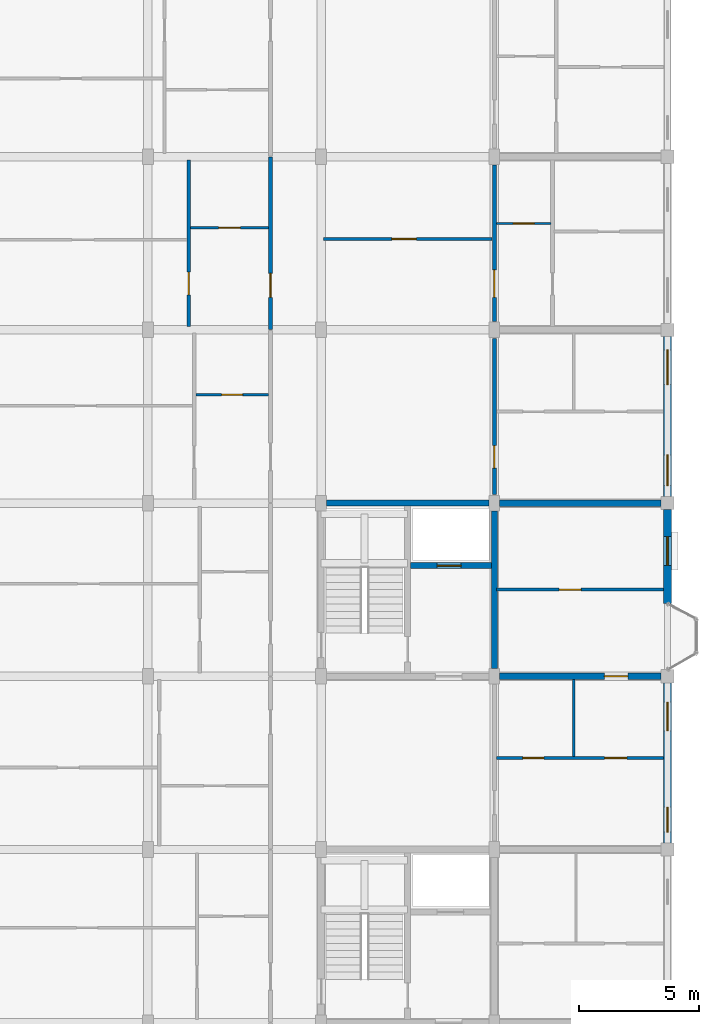
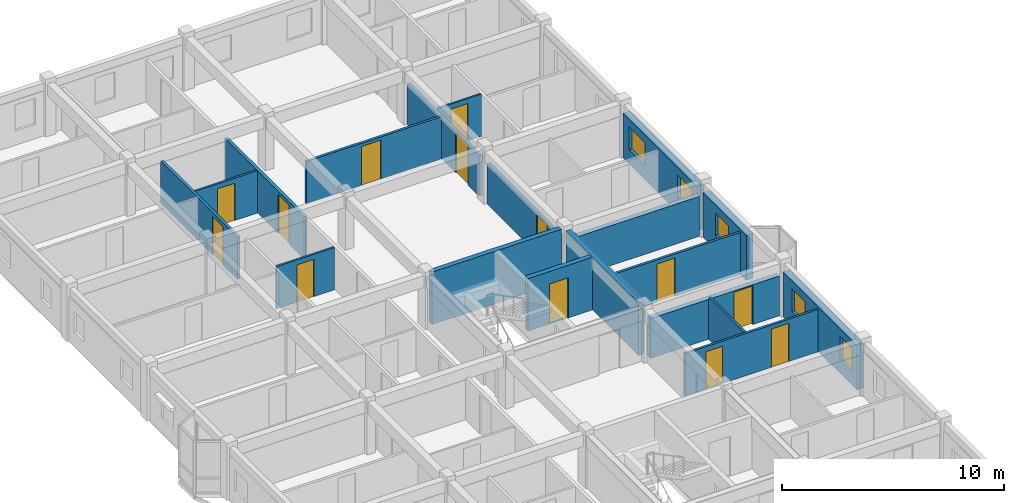
# One storey, part 63 of 77: 19 walls, 13 doors, 5 windows, 18 openings.
"""IFC4 building model written with IfcOpenShell, lengths in metres."""

import ifcopenshell
import ifcopenshell.guid

model = None  # the IFC model being written
_history = None  # IfcOwnerHistory: only IFC2X3 demands one
_inside = {}  # id of a spatial element -> (the spatial element, [elements in it])
_under = {}  # id of a project, library or spatial element -> (it, [spatial elements below it])
_declared = {}  # id of a project -> (the project, [libraries it declares])
_typed = {}  # id of a type object -> (the type object, [elements of that type])
_made_of = {}  # id of a material, layer set ... -> (it, [elements and type objects made of it])


def new_model(schema):
    """Start an empty IFC model of exactly this schema.

    Asked for "IFC4X3", IfcOpenShell would pick the latest addendum, in which some entities
    have other attributes; the version numbers below select the first issue.
    IFC2X3 requires an IfcOwnerHistory on every rooted entity: one is made here for all.
    """
    global model, _history
    if schema == "IFC4X3":
        model = ifcopenshell.file(schema_version=(4, 3, 0, 0))
    else:
        model = ifcopenshell.file(schema=schema)
    _inside.clear()
    _under.clear()
    _declared.clear()
    _typed.clear()
    _made_of.clear()
    _history = None
    if model.schema == "IFC2X3":
        org = make("IfcOrganization", Name="unknown")
        user = make(
            "IfcPersonAndOrganization",
            ThePerson=make("IfcPerson", FamilyName="unknown"),
            TheOrganization=org,
        )
        app = make(
            "IfcApplication",
            ApplicationDeveloper=org,
            Version="unknown",
            ApplicationFullName="unknown",
            ApplicationIdentifier="unknown",
        )
        _history = make(
            "IfcOwnerHistory",
            OwningUser=user,
            OwningApplication=app,
            ChangeAction="ADDED",
            CreationDate=0,
        )
    return model


def make(cls, **values):
    """One entity of the class cls with the attributes given. An attribute that is None is left unset."""
    return model.create_entity(
        cls, **{name: value for name, value in values.items() if value is not None}
    )


def rooted(cls, **values):
    """An entity with a GlobalId (a new one), such as an element, a storey or a relation."""
    return make(cls, GlobalId=ifcopenshell.guid.new(), OwnerHistory=_history, **values)


def si_unit(unit_type, name, prefix=None):
    """IfcSIUnit, for example si_unit("LENGTHUNIT", "METRE", prefix="MILLI")."""
    return make("IfcSIUnit", UnitType=unit_type, Prefix=prefix, Name=name)


def assignment(units):
    """IfcUnitAssignment: the units of a project."""
    return None if units is None else make("IfcUnitAssignment", Units=units)


def point(xyz):
    """IfcCartesianPoint."""
    return None if xyz is None else make("IfcCartesianPoint", Coordinates=xyz)


def direction(xyz):
    """IfcDirection."""
    return None if xyz is None else make("IfcDirection", DirectionRatios=xyz)


def frame(location, z_axis=None, x_axis=None):
    """IfcAxis2Placement3D, a coordinate frame: its origin and axes. An axis left out is left unset."""
    return make(
        "IfcAxis2Placement3D",
        Location=point(location),
        Axis=direction(z_axis),
        RefDirection=direction(x_axis),
    )


def frame_2d(location, x_axis=None):
    """IfcAxis2Placement2D, a coordinate frame in the plane: its origin and x axis."""
    return make(
        "IfcAxis2Placement2D", Location=point(location), RefDirection=direction(x_axis)
    )


def origin():
    """The frame at (0, 0, 0) with its axes left unset."""
    return frame((0.0, 0.0, 0.0))


def place(relative_to, where):
    """IfcLocalPlacement: puts the frame where relative to a parent placement (None: the world)."""
    return make(
        "IfcLocalPlacement", PlacementRelTo=relative_to, RelativePlacement=where
    )


def context(
    kind, dimensions, precision=None, world=None, true_north=None, identifier=None
):
    """IfcGeometricRepresentationContext, for example the 3D "Model" context."""
    return make(
        "IfcGeometricRepresentationContext",
        ContextIdentifier=identifier,
        ContextType=kind,
        CoordinateSpaceDimension=dimensions,
        Precision=precision,
        WorldCoordinateSystem=world,
        TrueNorth=true_north,
    )


def subcontext(parent, identifier, kind, view, scale=None):
    """IfcGeometricRepresentationSubContext, for example "Body" below "Model"."""
    return make(
        "IfcGeometricRepresentationSubContext",
        ContextIdentifier=identifier,
        ContextType=kind,
        ParentContext=parent,
        TargetScale=scale,
        TargetView=view,
    )


def project(units=None, contexts=None):
    """IfcProject with its units and contexts."""
    return rooted(
        "IfcProject",
        Name="project",
        RepresentationContexts=contexts,
        UnitsInContext=assignment(units),
    )


def spatial(cls, under=None, at=None, **own):
    """A site, building, storey or space (cls), placed at a placement, below another one or the project."""
    s = rooted(cls, ObjectPlacement=at, **own)
    if under is not None:
        _under.setdefault(under.id(), (under, []))[1].append(s)
    return s


def profile(cls, at=None, kind="AREA", **sizes):
    """A parametric profile (cls). Its sizes go by their IFC names, for example OverallWidth=200.0."""
    return make(cls, ProfileType=kind, Position=at, **sizes)


def rectangle(**sizes):
    """IfcRectangleProfileDef."""
    return profile("IfcRectangleProfileDef", **sizes)


def extrude(swept, where, along, depth):
    """IfcExtrudedAreaSolid: the profile swept, set in the frame where, extruded along a direction by depth."""
    return make(
        "IfcExtrudedAreaSolid",
        SweptArea=swept,
        Position=where,
        ExtrudedDirection=direction(along),
        Depth=depth,
    )


def shape(context_of_items, identifier, shape_type, items):
    """IfcShapeRepresentation: the items that make up one representation, for example the "Body"."""
    return make(
        "IfcShapeRepresentation",
        ContextOfItems=context_of_items,
        RepresentationIdentifier=identifier,
        RepresentationType=shape_type,
        Items=items,
    )


def material(Name=None, Category=None):
    """IfcMaterial."""
    return make("IfcMaterial", Name=Name, Category=Category)


def layer(
    of_material, thickness, ventilated=None, Name=None, Category=None, Priority=None
):
    """IfcMaterialLayer: one layer of a wall or slab, of a material (None: an air gap)."""
    return make(
        "IfcMaterialLayer",
        Material=of_material,
        LayerThickness=thickness,
        IsVentilated=ventilated,
        Name=Name,
        Category=Category,
        Priority=Priority,
    )


def layer_set(layers, Name=None):
    """IfcMaterialLayerSet."""
    return make("IfcMaterialLayerSet", MaterialLayers=layers, LayerSetName=Name)


def made_of(thing, what):
    """Note that an element or type object is made of a material, layer set ...; save() writes the relation."""
    if what is not None:
        _made_of.setdefault(what.id(), (what, []))[1].append(thing)
    return thing


def type_object(cls, material=None, **own):
    """A type object (cls), such as IfcWallType, which elements share."""
    return made_of(rooted(cls, **own), material)


def element(
    cls,
    number,
    at=None,
    inside=None,
    cuts=None,
    type_object=None,
    material=None,
    context=None,
    identifier="Body",
    shape_type=None,
    held_by="IfcProductDefinitionShape",
    body=None,
    shapes=None,
    **own,
):
    """One element of the class cls, such as IfcWall. Its Tag is "e" and its number.

    at: its placement. inside: the storey or other place that contains it. cuts: it is an
    opening in that element (IfcRelVoidsElement). A single representation is given by context,
    identifier, shape_type and body (its items); several are given by shapes. held_by: the class
    of the entity that holds the representations. save() writes the other relations.
    """
    e = rooted(cls, Tag="e%d" % number, ObjectPlacement=at, **own)
    if body is not None:
        shapes = [shape(context, identifier, shape_type, body)]
    if shapes is not None:
        e.Representation = make(held_by, Representations=shapes)
    if inside is not None:
        _inside.setdefault(inside.id(), (inside, []))[1].append(e)
    if cuts is not None:
        rooted(
            "IfcRelVoidsElement", RelatingBuildingElement=cuts, RelatedOpeningElement=e
        )
    if type_object is not None:
        _typed.setdefault(type_object.id(), (type_object, []))[1].append(e)
    return made_of(e, material)


def fill(opening, filler):
    """IfcRelFillsElement: the door or window that sits in an opening."""
    return rooted(
        "IfcRelFillsElement",
        RelatingOpeningElement=opening,
        RelatedBuildingElement=filler,
    )


def aggregate(whole, parts):
    """IfcRelAggregates: a whole, such as a stair, and the parts it consists of."""
    return rooted("IfcRelAggregates", RelatingObject=whole, RelatedObjects=parts)


def save(model, path):
    """Write the relations noted so far, then the file.

    IfcRelAggregates (storeys below a building ...), IfcRelContainedInSpatialStructure (elements
    in a storey), IfcRelDefinesByType, IfcRelAssociatesMaterial and IfcRelDeclares: one each for
    every whole, place, type object, material and project.
    """
    for whole, parts in _under.values():
        aggregate(whole, parts)
    for where, things in _inside.values():
        rooted(
            "IfcRelContainedInSpatialStructure",
            RelatedElements=things,
            RelatingStructure=where,
        )
    for kind, things in _typed.values():
        rooted("IfcRelDefinesByType", RelatedObjects=things, RelatingType=kind)
    for what, things in _made_of.values():
        rooted("IfcRelAssociatesMaterial", RelatedObjects=things, RelatingMaterial=what)
    for by, libraries in _declared.values():
        rooted("IfcRelDeclares", RelatingContext=by, RelatedDefinitions=libraries)
    model.write(path)


model = new_model("IFC4")

# Units and contexts
model_context = context("Model", 3, precision=1e-05, world=origin(), true_north=direction((0.0, 1.0)))
body_context = subcontext(model_context, "Body", "Model", "MODEL_VIEW")
ifc_project = project(units=[si_unit("LENGTHUNIT", "METRE"), si_unit("AREAUNIT", "SQUARE_METRE"), si_unit("VOLUMEUNIT", "CUBIC_METRE"), si_unit("PLANEANGLEUNIT", "RADIAN"), si_unit("MASSUNIT", "GRAM", prefix="KILO"), si_unit("THERMODYNAMICTEMPERATUREUNIT", "KELVIN"), si_unit("POWERUNIT", "WATT")], contexts=[model_context])

# Site, building, storey
site_placement = place(None, origin())
site = spatial("IfcSite", under=ifc_project, at=site_placement, CompositionType="ELEMENT")
building_placement = place(site_placement, origin())
building = spatial("IfcBuilding", under=site, at=building_placement, Name="Tavuni Mirador Residences", CompositionType="ELEMENT")
storey_placement = place(building_placement, frame((0.0, 0.0, 10.800048828125)))
storey = spatial("IfcBuildingStorey", under=building, at=storey_placement, Name="L03", CompositionType="ELEMENT", Elevation=10.800048828125)

# Walls
ifc_material_1 = material(Name="Precast concrete C40/50", Category="concrete")
ifc_layer_1 = layer(ifc_material_1, 0.25, Name="Precast concrete C40/50", Category="concrete")
ifc_layer_set_1 = layer_set([ifc_layer_1], Name="Precast concrete C40/50")
wall_type_1 = type_object("IfcWallType", Name="WT-COR250", PredefinedType="SHEAR", material=ifc_layer_set_1)
wall_1_placement = place(storey_placement, frame((104.625, 115.199951171875, 0.0), z_axis=(0.0, 0.0, 1.0), x_axis=(1.0, 0.0, 0.0)))
element("IfcWall", 1, at=wall_1_placement, inside=storey, type_object=wall_type_1, Name="CWALL-C8-L03-N", PredefinedType="SHEAR", context=body_context, shape_type="SweptSolid", body=[
    extrude(rectangle(XDim=6.75, YDim=0.25, at=frame_2d((3.375, 0.0))), origin(), (0.0, 0.0, 1.0), 2.889892578125),
])
wall_2_placement = place(storey_placement, frame((111.60009765625, 108.324951171875, 0.0), z_axis=(0.0, 0.0, 1.0), x_axis=(0.0, 1.0, 0.0)))
element("IfcWall", 2, at=wall_2_placement, inside=storey, type_object=wall_type_1, Name="CWALL-C8-L03-E", PredefinedType="SHEAR", context=body_context, shape_type="SweptSolid", body=[
    extrude(rectangle(XDim=6.550048828125, YDim=0.25, at=frame_2d((3.27490234375, 0.0))), origin(), (0.0, 0.0, 1.0), 2.889892578125),
])

# Wall, opening, door
wall_3_placement = place(storey_placement, frame((108.125, 112.60009765625, 0.0), z_axis=(0.0, 0.0, 1.0), x_axis=(1.0, 0.0, 0.0)))
wall_3 = element("IfcWall", 3, at=wall_3_placement, inside=storey, type_object=wall_type_1, Name="CWALL-C8-L03-SHF", PredefinedType="SHEAR", context=body_context, shape_type="SweptSolid", body=[
    extrude(rectangle(XDim=3.35009765625, YDim=0.25, at=frame_2d((1.675048828125, 0.0))), origin(), (0.0, 0.0, 1.0), 2.889892578125),
])
opening_1_placement = place(wall_3_placement, frame((1.10009765625, 0.0, 0.0)))
opening_1 = element("IfcOpeningElement", 4, at=opening_1_placement, cuts=wall_3, Name="Opening LD-02", PredefinedType="OPENING", context=body_context, shape_type="SweptSolid", body=[
    extrude(rectangle(XDim=1.0, YDim=2.199951171875, at=frame_2d((0.5, 1.10009765625))), frame((0.0, 0.135009765625, 0.0), z_axis=(0.0, -1.0, 0.0), x_axis=(1.0, 0.0, 0.0)), (0.0, 0.0, 1.0), 0.27001953125),
])
ifc_material_2 = material(Name="Structural steel S355", Category="steel")
door_type_1 = type_object("IfcDoorType", Name="DT-LD-PAX", OperationType="SLIDING_TO_LEFT", PredefinedType="DOOR", material=ifc_material_2)
door_1_placement = place(opening_1_placement, origin())
door_1 = element("IfcDoor", 5, at=door_1_placement, inside=storey, type_object=door_type_1, Name="Lift landing door PL-D1 L03", OperationType="SLIDING_TO_LEFT", OverallHeight=2.199951171875, OverallWidth=1.0, PredefinedType="DOOR", context=body_context, shape_type="SweptSolid", body=[
    extrude(rectangle(XDim=1.0, YDim=2.199951171875, at=frame_2d((0.5, 1.10009765625))), frame((0.0, 0.02490234375, 0.0), z_axis=(0.0, -1.0, 0.0), x_axis=(1.0, 0.0, 0.0)), (0.0, 0.0, 1.0), 0.050048828125),
])
fill(opening_1, door_1)

ifc_layer_2 = layer(ifc_material_1, 0.1650390625, Name="Precast concrete C40/50", Category="concrete")
ifc_layer_set_2 = layer_set([ifc_layer_2], Name="Precast concrete C40/50")
wall_type_2 = type_object("IfcWallType", Name="WT-CORR165", PredefinedType="PARTITIONING", material=ifc_layer_set_2)
wall_4_placement = place(storey_placement, frame((102.300048828125, 122.419921875, 0.0), z_axis=(0.0, 0.0, 1.0), x_axis=(0.0, 1.0, 0.0)))
wall_4 = element("IfcWall", 6, at=wall_4_placement, inside=storey, type_object=wall_type_2, Name="CORW-BLK-D-L03-0-05", PredefinedType="PARTITIONING", context=body_context, shape_type="SweptSolid", body=[
    extrude(rectangle(XDim=7.16015625, YDim=0.1650390625, at=frame_2d((3.580078125, 0.0))), origin(), (0.0, 0.0, 1.0), 2.324951171875),
])
opening_2_placement = place(wall_4_placement, frame((1.330078125, 0.0, 0.0)))
opening_2 = element("IfcOpeningElement", 7, at=opening_2_placement, cuts=wall_4, Name="Opening D-03", PredefinedType="OPENING", context=body_context, shape_type="SweptSolid", body=[
    extrude(rectangle(XDim=1.0, YDim=2.14990234375, at=frame_2d((0.5, 1.074951171875))), frame((0.0, 0.092529296875, 0.0), z_axis=(0.0, -1.0, 0.0), x_axis=(1.0, 0.0, 0.0)), (0.0, 0.0, 1.0), 0.18505859375),
])
ifc_material_3 = material(Name="Solid core iroko timber", Category="wood")
door_type_2 = type_object("IfcDoorType", Name="DT-FD60-1000", OperationType="NOTDEFINED", PredefinedType="DOOR", material=ifc_material_3)
door_2_placement = place(opening_2_placement, origin())
door_2 = element("IfcDoor", 8, at=door_2_placement, inside=storey, type_object=door_type_2, Name="DR-2850", OperationType="SINGLE_SWING_LEFT", OverallHeight=2.14990234375, OverallWidth=1.0, PredefinedType="DOOR", context=body_context, shape_type="SweptSolid", body=[
    extrude(rectangle(XDim=1.0, YDim=2.14990234375, at=frame_2d((0.5, 1.074951171875))), frame((0.0, 0.02490234375, 0.0), z_axis=(0.0, -1.0, 0.0), x_axis=(1.0, 0.0, 0.0)), (0.0, 0.0, 1.0), 0.050048828125),
])
fill(opening_2, door_2)

wall_5_placement = place(storey_placement, frame((111.60009765625, 115.550048828125, 0.0), z_axis=(0.0, 0.0, 1.0), x_axis=(0.0, 1.0, 0.0)))
wall_5 = element("IfcWall", 9, at=wall_5_placement, inside=storey, type_object=wall_type_2, Name="CORW-BLK-D-L03-1-04", PredefinedType="PARTITIONING", context=body_context, shape_type="SweptSolid", body=[
    extrude(rectangle(XDim=6.5, YDim=0.1650390625, at=frame_2d((3.25, 0.0))), origin(), (0.0, 0.0, 1.0), 2.239990234375),
])
opening_3_placement = place(wall_5_placement, frame((1.10009765625, 0.0, 0.0)))
opening_3 = element("IfcOpeningElement", 10, at=opening_3_placement, cuts=wall_5, Name="Opening D-19", PredefinedType="OPENING", context=body_context, shape_type="SweptSolid", body=[
    extrude(rectangle(XDim=0.93994140625, YDim=2.1201171875, at=frame_2d((0.469970703125, 1.06005859375))), frame((0.0, 0.092529296875, 0.0), z_axis=(0.0, -1.0, 0.0), x_axis=(1.0, 0.0, 0.0)), (0.0, 0.0, 1.0), 0.18505859375),
])
door_type_3 = type_object("IfcDoorType", Name="DT-FD60-940", OperationType="NOTDEFINED", PredefinedType="DOOR", material=ifc_material_3)
door_3_placement = place(opening_3_placement, origin())
door_3 = element("IfcDoor", 11, at=door_3_placement, inside=storey, type_object=door_type_3, Name="DR-2854", OperationType="SINGLE_SWING_LEFT", OverallHeight=2.1201171875, OverallWidth=0.93994140625, PredefinedType="DOOR", context=body_context, shape_type="SweptSolid", body=[
    extrude(rectangle(XDim=0.93994140625, YDim=2.1201171875, at=frame_2d((0.469970703125, 1.06005859375))), frame((0.0, 0.02490234375, 0.0), z_axis=(0.0, -1.0, 0.0), x_axis=(1.0, 0.0, 0.0)), (0.0, 0.0, 1.0), 0.050048828125),
])
fill(opening_3, door_3)

wall_6_placement = place(storey_placement, frame((111.60009765625, 122.75, 0.0), z_axis=(0.0, 0.0, 1.0), x_axis=(0.0, 1.0, 0.0)))
wall_6 = element("IfcWall", 12, at=wall_6_placement, inside=storey, type_object=wall_type_2, Name="CORW-BLK-D-L03-1-05", PredefinedType="PARTITIONING", context=body_context, shape_type="SweptSolid", body=[
    extrude(rectangle(XDim=6.5, YDim=0.1650390625, at=frame_2d((3.25, 0.0))), origin(), (0.0, 0.0, 1.0), 2.239990234375),
])
opening_4_placement = place(wall_6_placement, frame((1.0, 0.0, 0.0)))
opening_4 = element("IfcOpeningElement", 13, at=opening_4_placement, cuts=wall_6, Name="Opening D-20", PredefinedType="OPENING", context=body_context, shape_type="SweptSolid", body=[
    extrude(rectangle(XDim=1.139892578125, YDim=2.179931640625, at=frame_2d((0.56982421875, 1.08984375))), frame((0.0, 0.092529296875, 0.0), z_axis=(0.0, -1.0, 0.0), x_axis=(1.0, 0.0, 0.0)), (0.0, 0.0, 1.0), 0.18505859375),
])
door_type_4 = type_object("IfcDoorType", Name="DT-FD60-1140", OperationType="NOTDEFINED", PredefinedType="DOOR", material=ifc_material_3)
door_4_placement = place(opening_4_placement, origin())
door_4 = element("IfcDoor", 14, at=door_4_placement, inside=storey, type_object=door_type_4, Name="DR-2855", OperationType="SINGLE_SWING_RIGHT", OverallHeight=2.179931640625, OverallWidth=1.139892578125, PredefinedType="DOOR", context=body_context, shape_type="SweptSolid", body=[
    extrude(rectangle(XDim=1.139892578125, YDim=2.179931640625, at=frame_2d((0.56982421875, 1.08984375))), frame((0.0, 0.02490234375, 0.0), z_axis=(0.0, -1.0, 0.0), x_axis=(1.0, 0.0, 0.0)), (0.0, 0.0, 1.0), 0.050048828125),
])
fill(opening_4, door_4)

# Wall, openings, windows
ifc_material_4 = material(Name="Sgraffito lime-rendered precast concrete C40/50", Category="concrete")
ifc_layer_3 = layer(ifc_material_4, 0.344970703125, Name="Sgraffito lime-rendered precast concrete C40/50", Category="concrete")
ifc_layer_set_3 = layer_set([ifc_layer_3], Name="Sgraffito lime-rendered precast concrete C40/50")
wall_type_3 = type_object("IfcWallType", Name="WT-EXT-PTY345", PredefinedType="SOLIDWALL", material=ifc_layer_set_3)
wall_7_placement = place(storey_placement, frame((118.800048828125, 101.074951171875, 0.0), z_axis=(0.0, 0.0, 1.0), x_axis=(0.0, 1.0, 0.0)))
wall_7 = element("IfcWall", 15, at=wall_7_placement, inside=storey, type_object=wall_type_3, Name="EW-BLK-D-L03-E02", PredefinedType="SOLIDWALL", context=body_context, shape_type="SweptSolid", body=[
    extrude(rectangle(XDim=6.650146484375, YDim=0.344970703125, at=frame_2d((3.3251953125, 0.0))), origin(), (0.0, 0.0, 1.0), 2.4599609375),
])
opening_5_placement = place(wall_7_placement, frame((0.449951171875, 0.0, 0.780029296875)))
opening_5 = element("IfcOpeningElement", 16, at=opening_5_placement, cuts=wall_7, Name="Opening WN-11", PredefinedType="OPENING", context=body_context, shape_type="SweptSolid", body=[
    extrude(rectangle(XDim=1.0400390625, YDim=1.260009765625, at=frame_2d((0.52001953125, 0.6298828125))), frame((0.0, 0.1826171875, 0.0), z_axis=(0.0, -1.0, 0.0), x_axis=(1.0, 0.0, 0.0)), (0.0, 0.0, 1.0), 0.364990234375),
])
opening_6_placement = place(wall_7_placement, frame((4.64990234375, 0.0, 0.780029296875)))
opening_6 = element("IfcOpeningElement", 17, at=opening_6_placement, cuts=wall_7, Name="Opening WN-13", PredefinedType="OPENING", context=body_context, shape_type="SweptSolid", body=[
    extrude(rectangle(XDim=1.199951171875, YDim=1.260009765625, at=frame_2d((0.60009765625, 0.6298828125))), frame((0.0, 0.1826171875, 0.0), z_axis=(0.0, -1.0, 0.0), x_axis=(1.0, 0.0, 0.0)), (0.0, 0.0, 1.0), 0.364990234375),
])
ifc_material_5 = material(Name="Laminated solar-control glass", Category="glass")
window_type_1 = type_object("IfcWindowType", Name="WNT-11", PartitioningType="SINGLE_PANEL", PredefinedType="WINDOW", material=ifc_material_5)
window_1_placement = place(opening_5_placement, origin())
window_1 = element("IfcWindow", 18, at=window_1_placement, inside=storey, type_object=window_type_1, Name="WIN-1537", OverallHeight=1.260009765625, OverallWidth=1.0400390625, PartitioningType="SINGLE_PANEL", PredefinedType="WINDOW", context=body_context, shape_type="SweptSolid", body=[
    extrude(rectangle(XDim=1.0400390625, YDim=1.260009765625, at=frame_2d((0.52001953125, 0.6298828125))), frame((0.0, 0.030029296875, 0.0), z_axis=(0.0, -1.0, 0.0), x_axis=(1.0, 0.0, 0.0)), (0.0, 0.0, 1.0), 0.06005859375),
])
fill(opening_5, window_1)
window_type_2 = type_object("IfcWindowType", Name="WNT-13", PartitioningType="SINGLE_PANEL", PredefinedType="WINDOW", material=ifc_material_5)
window_2_placement = place(opening_6_placement, origin())
window_2 = element("IfcWindow", 19, at=window_2_placement, inside=storey, type_object=window_type_2, Name="WIN-1538", OverallHeight=1.260009765625, OverallWidth=1.199951171875, PartitioningType="SINGLE_PANEL", PredefinedType="WINDOW", context=body_context, shape_type="SweptSolid", body=[
    extrude(rectangle(XDim=1.199951171875, YDim=1.260009765625, at=frame_2d((0.60009765625, 0.6298828125))), frame((0.0, 0.030029296875, 0.0), z_axis=(0.0, -1.0, 0.0), x_axis=(1.0, 0.0, 0.0)), (0.0, 0.0, 1.0), 0.06005859375),
])
fill(opening_6, window_2)

# Wall, opening, window
wall_8_placement = place(storey_placement, frame((118.800048828125, 111.02001953125, 0.0), z_axis=(0.0, 0.0, 1.0), x_axis=(0.0, 1.0, 0.0)))
wall_8 = element("IfcWall", 20, at=wall_8_placement, inside=storey, type_object=wall_type_3, Name="EW-BLK-D-L03-E03", PredefinedType="SOLIDWALL", context=body_context, shape_type="SweptSolid", body=[
    extrude(rectangle(XDim=3.905029296875, YDim=0.344970703125, at=frame_2d((1.95263671875, 0.0))), origin(), (0.0, 0.0, 1.0), 2.4599609375),
])
opening_7_placement = place(wall_8_placement, frame((1.58740234375, 0.0, 0.780029296875)))
opening_7 = element("IfcOpeningElement", 21, at=opening_7_placement, cuts=wall_8, Name="Opening WN-13", PredefinedType="OPENING", context=body_context, shape_type="SweptSolid", body=[
    extrude(rectangle(XDim=1.199951171875, YDim=1.260009765625, at=frame_2d((0.60009765625, 0.6298828125))), frame((0.0, 0.1826171875, 0.0), z_axis=(0.0, -1.0, 0.0), x_axis=(1.0, 0.0, 0.0)), (0.0, 0.0, 1.0), 0.364990234375),
])
window_3_placement = place(opening_7_placement, origin())
window_3 = element("IfcWindow", 22, at=window_3_placement, inside=storey, type_object=window_type_2, Name="WIN-1539", OverallHeight=1.260009765625, OverallWidth=1.199951171875, PartitioningType="SINGLE_PANEL", PredefinedType="WINDOW", context=body_context, shape_type="SweptSolid", body=[
    extrude(rectangle(XDim=1.199951171875, YDim=1.260009765625, at=frame_2d((0.60009765625, 0.6298828125))), frame((0.0, 0.030029296875, 0.0), z_axis=(0.0, -1.0, 0.0), x_axis=(1.0, 0.0, 0.0)), (0.0, 0.0, 1.0), 0.06005859375),
])
fill(opening_7, window_3)

# Wall, openings, windows
wall_9_placement = place(storey_placement, frame((118.800048828125, 115.47509765625, 0.0), z_axis=(0.0, 0.0, 1.0), x_axis=(0.0, 1.0, 0.0)))
wall_9 = element("IfcWall", 23, at=wall_9_placement, inside=storey, type_object=wall_type_3, Name="EW-BLK-D-L03-E04", PredefinedType="SOLIDWALL", context=body_context, shape_type="SweptSolid", body=[
    extrude(rectangle(XDim=6.64990234375, YDim=0.344970703125, at=frame_2d((3.324951171875, 0.0))), origin(), (0.0, 0.0, 1.0), 2.4599609375),
])
opening_8_placement = place(wall_9_placement, frame((0.449951171875, 0.0, 0.780029296875)))
opening_8 = element("IfcOpeningElement", 24, at=opening_8_placement, cuts=wall_9, Name="Opening WN-14", PredefinedType="OPENING", context=body_context, shape_type="SweptSolid", body=[
    extrude(rectangle(XDim=1.280029296875, YDim=1.260009765625, at=frame_2d((0.64013671875, 0.6298828125))), frame((0.0, 0.1826171875, 0.0), z_axis=(0.0, -1.0, 0.0), x_axis=(1.0, 0.0, 0.0)), (0.0, 0.0, 1.0), 0.364990234375),
])
opening_9_placement = place(wall_9_placement, frame((4.64990234375, 0.0, 0.780029296875)))
opening_9 = element("IfcOpeningElement", 25, at=opening_9_placement, cuts=wall_9, Name="Opening WN-16", PredefinedType="OPENING", context=body_context, shape_type="SweptSolid", body=[
    extrude(rectangle(XDim=1.43994140625, YDim=1.260009765625, at=frame_2d((0.719970703125, 0.6298828125))), frame((0.0, 0.1826171875, 0.0), z_axis=(0.0, -1.0, 0.0), x_axis=(1.0, 0.0, 0.0)), (0.0, 0.0, 1.0), 0.364990234375),
])
window_type_3 = type_object("IfcWindowType", Name="WNT-14", PartitioningType="SINGLE_PANEL", PredefinedType="WINDOW", material=ifc_material_5)
window_4_placement = place(opening_8_placement, origin())
window_4 = element("IfcWindow", 26, at=window_4_placement, inside=storey, type_object=window_type_3, Name="WIN-1540", OverallHeight=1.260009765625, OverallWidth=1.280029296875, PartitioningType="SINGLE_PANEL", PredefinedType="WINDOW", context=body_context, shape_type="SweptSolid", body=[
    extrude(rectangle(XDim=1.280029296875, YDim=1.260009765625, at=frame_2d((0.64013671875, 0.6298828125))), frame((0.0, 0.030029296875, 0.0), z_axis=(0.0, -1.0, 0.0), x_axis=(1.0, 0.0, 0.0)), (0.0, 0.0, 1.0), 0.06005859375),
])
fill(opening_8, window_4)
window_type_4 = type_object("IfcWindowType", Name="WNT-16", PartitioningType="SINGLE_PANEL", PredefinedType="WINDOW", material=ifc_material_5)
window_5_placement = place(opening_9_placement, origin())
window_5 = element("IfcWindow", 27, at=window_5_placement, inside=storey, type_object=window_type_4, Name="WIN-1541", OverallHeight=1.260009765625, OverallWidth=1.43994140625, PartitioningType="SINGLE_PANEL", PredefinedType="WINDOW", context=body_context, shape_type="SweptSolid", body=[
    extrude(rectangle(XDim=1.43994140625, YDim=1.260009765625, at=frame_2d((0.719970703125, 0.6298828125))), frame((0.0, 0.030029296875, 0.0), z_axis=(0.0, -1.0, 0.0), x_axis=(1.0, 0.0, 0.0)), (0.0, 0.0, 1.0), 0.06005859375),
])
fill(opening_9, window_5)

# Wall, opening, door
ifc_material_6 = material(Name="Acoustic gypsum and concrete block partition", Category="concrete")
ifc_layer_4 = layer(ifc_material_6, 0.094970703125, Name="Acoustic gypsum and concrete block partition", Category="concrete")
ifc_layer_set_4 = layer_set([ifc_layer_4], Name="Acoustic gypsum and concrete block partition")
wall_type_4 = type_object("IfcWallType", Name="WT-PART095", PredefinedType="PARTITIONING", material=ifc_layer_set_4)
wall_10_placement = place(storey_placement, frame((111.68994140625, 126.820068359375, 0.0), z_axis=(0.0, 0.0, 1.0), x_axis=(1.0, 0.0, 0.0)))
wall_10 = element("IfcWall", 28, at=wall_10_placement, inside=storey, type_object=wall_type_4, Name="PW-BLK-D-L03-E05-IN1", PredefinedType="PARTITIONING", context=body_context, shape_type="SweptSolid", body=[
    extrude(rectangle(XDim=2.260009765625, YDim=0.094970703125, at=frame_2d((1.1298828125, 0.0))), origin(), (0.0, 0.0, 1.0), 2.324951171875),
])
opening_10_placement = place(wall_10_placement, frame((0.695068359375, 0.0, 0.0)))
opening_10 = element("IfcOpeningElement", 29, at=opening_10_placement, cuts=wall_10, Name="Opening D-10", PredefinedType="OPENING", context=body_context, shape_type="SweptSolid", body=[
    extrude(rectangle(XDim=0.8701171875, YDim=2.050048828125, at=frame_2d((0.43505859375, 1.02490234375))), frame((0.0, 0.0576171875, 0.0), z_axis=(0.0, -1.0, 0.0), x_axis=(1.0, 0.0, 0.0)), (0.0, 0.0, 1.0), 0.114990234375),
])
door_type_5 = type_object("IfcDoorType", Name="DT-WC870", OperationType="NOTDEFINED", PredefinedType="DOOR", material=ifc_material_3)
door_5_placement = place(opening_10_placement, origin())
door_5 = element("IfcDoor", 30, at=door_5_placement, inside=storey, type_object=door_type_5, Name="DR-4422", OperationType="SINGLE_SWING_LEFT", OverallHeight=2.050048828125, OverallWidth=0.8701171875, PredefinedType="DOOR", context=body_context, shape_type="SweptSolid", body=[
    extrude(rectangle(XDim=0.8701171875, YDim=2.050048828125, at=frame_2d((0.43505859375, 1.02490234375))), frame((0.0, 0.02490234375, 0.0), z_axis=(0.0, -1.0, 0.0), x_axis=(1.0, 0.0, 0.0)), (0.0, 0.0, 1.0), 0.050048828125),
])
fill(opening_10, door_5)

# Wall
ifc_layer_5 = layer(ifc_material_6, 0.10498046875, Name="Acoustic gypsum and concrete block partition", Category="concrete")
ifc_layer_set_5 = layer_set([ifc_layer_5], Name="Acoustic gypsum and concrete block partition")
wall_type_5 = type_object("IfcWallType", Name="WT-PART105", PredefinedType="PARTITIONING", material=ifc_layer_set_5)
wall_11_placement = place(storey_placement, frame((114.89990234375, 104.669921875, 0.0), z_axis=(0.0, 0.0, 1.0), x_axis=(0.0, 1.0, 0.0)))
element("IfcWall", 31, at=wall_11_placement, inside=storey, type_object=wall_type_5, Name="PW-BLK-D-L03-PF02-V", PredefinedType="PARTITIONING", context=body_context, shape_type="SweptSolid", body=[
    extrude(rectangle(XDim=3.190185546875, YDim=0.10498046875, at=frame_2d((1.59521484375, 0.0))), origin(), (0.0, 0.0, 1.0), 2.324951171875),
])

# Wall, opening, door
wall_12_placement = place(storey_placement, frame((99.18994140625, 119.699951171875, 0.0), z_axis=(0.0, 0.0, 1.0), x_axis=(1.0, 0.0, 0.0)))
wall_12 = element("IfcWall", 32, at=wall_12_placement, inside=storey, type_object=wall_type_5, Name="PW-BLK-D-L03-W04-IN1", PredefinedType="PARTITIONING", context=body_context, shape_type="SweptSolid", body=[
    extrude(rectangle(XDim=3.02001953125, YDim=0.10498046875, at=frame_2d((1.510009765625, 0.0))), origin(), (0.0, 0.0, 1.0), 2.324951171875),
])
opening_11_placement = place(wall_12_placement, frame((1.074951171875, 0.0, 0.0)))
opening_11 = element("IfcOpeningElement", 33, at=opening_11_placement, cuts=wall_12, Name="Opening D-10", PredefinedType="OPENING", context=body_context, shape_type="SweptSolid", body=[
    extrude(rectangle(XDim=0.8701171875, YDim=2.050048828125, at=frame_2d((0.43505859375, 1.02490234375))), frame((0.0, 0.0625, 0.0), z_axis=(0.0, -1.0, 0.0), x_axis=(1.0, 0.0, 0.0)), (0.0, 0.0, 1.0), 0.125),
])
door_6_placement = place(opening_11_placement, origin())
door_6 = element("IfcDoor", 34, at=door_6_placement, inside=storey, type_object=door_type_5, Name="DR-4413", OperationType="SINGLE_SWING_LEFT", OverallHeight=2.050048828125, OverallWidth=0.8701171875, PredefinedType="DOOR", context=body_context, shape_type="SweptSolid", body=[
    extrude(rectangle(XDim=0.8701171875, YDim=2.050048828125, at=frame_2d((0.43505859375, 1.02490234375))), frame((0.0, 0.02490234375, 0.0), z_axis=(0.0, -1.0, 0.0), x_axis=(1.0, 0.0, 0.0)), (0.0, 0.0, 1.0), 0.050048828125),
])
fill(opening_11, door_6)

wall_13_placement = place(storey_placement, frame((98.969970703125, 126.64990234375, 0.0), z_axis=(0.0, 0.0, 1.0), x_axis=(1.0, 0.0, 0.0)))
wall_13 = element("IfcWall", 35, at=wall_13_placement, inside=storey, type_object=wall_type_5, Name="PW-BLK-D-L03-W05-IN1", PredefinedType="PARTITIONING", context=body_context, shape_type="SweptSolid", body=[
    extrude(rectangle(XDim=3.239990234375, YDim=0.10498046875, at=frame_2d((1.6201171875, 0.0))), origin(), (0.0, 0.0, 1.0), 2.324951171875),
])
opening_12_placement = place(wall_13_placement, frame((1.169921875, 0.0, 0.0)))
opening_12 = element("IfcOpeningElement", 36, at=opening_12_placement, cuts=wall_13, Name="Opening D-09", PredefinedType="OPENING", context=body_context, shape_type="SweptSolid", body=[
    extrude(rectangle(XDim=0.89990234375, YDim=2.050048828125, at=frame_2d((0.449951171875, 1.02490234375))), frame((0.0, 0.0625, 0.0), z_axis=(0.0, -1.0, 0.0), x_axis=(1.0, 0.0, 0.0)), (0.0, 0.0, 1.0), 0.125),
])
door_type_6 = type_object("IfcDoorType", Name="DT-WC900", OperationType="NOTDEFINED", PredefinedType="DOOR", material=ifc_material_3)
door_7_placement = place(opening_12_placement, origin())
door_7 = element("IfcDoor", 37, at=door_7_placement, inside=storey, type_object=door_type_6, Name="DR-4419", OperationType="SINGLE_SWING_RIGHT", OverallHeight=2.050048828125, OverallWidth=0.89990234375, PredefinedType="DOOR", context=body_context, shape_type="SweptSolid", body=[
    extrude(rectangle(XDim=0.89990234375, YDim=2.050048828125, at=frame_2d((0.449951171875, 1.02490234375))), frame((0.0, 0.02490234375, 0.0), z_axis=(0.0, -1.0, 0.0), x_axis=(1.0, 0.0, 0.0)), (0.0, 0.0, 1.0), 0.050048828125),
])
fill(opening_12, door_7)

# Wall, openings, doors
ifc_layer_6 = layer(ifc_material_6, 0.114990234375, Name="Acoustic gypsum and concrete block partition", Category="concrete")
ifc_layer_set_6 = layer_set([ifc_layer_6], Name="Acoustic gypsum and concrete block partition")
wall_type_6 = type_object("IfcWallType", Name="WT-PART115", PredefinedType="PARTITIONING", material=ifc_layer_set_6)
wall_14_placement = place(storey_placement, frame((111.68994140625, 104.60009765625, 0.0), z_axis=(0.0, 0.0, 1.0), x_axis=(1.0, 0.0, 0.0)))
wall_14 = element("IfcWall", 38, at=wall_14_placement, inside=storey, type_object=wall_type_6, Name="PW-BLK-D-L03-PF02-H", PredefinedType="PARTITIONING", context=body_context, shape_type="SweptSolid", body=[
    extrude(rectangle(XDim=6.93505859375, YDim=0.114990234375, at=frame_2d((3.467529296875, 0.0))), origin(), (0.0, 0.0, 1.0), 2.324951171875),
])
opening_13_placement = place(wall_14_placement, frame((1.10009765625, 0.0, 0.0)))
opening_13 = element("IfcOpeningElement", 39, at=opening_13_placement, cuts=wall_14, Name="Opening D-10", PredefinedType="OPENING", context=body_context, shape_type="SweptSolid", body=[
    extrude(rectangle(XDim=0.8701171875, YDim=2.050048828125, at=frame_2d((0.43505859375, 1.02490234375))), frame((0.0, 0.0673828125, 0.0), z_axis=(0.0, -1.0, 0.0), x_axis=(1.0, 0.0, 0.0)), (0.0, 0.0, 1.0), 0.135009765625),
])
opening_14_placement = place(wall_14_placement, frame((4.5, 0.0, 0.0)))
opening_14 = element("IfcOpeningElement", 40, at=opening_14_placement, cuts=wall_14, Name="Opening D-06", PredefinedType="OPENING", context=body_context, shape_type="SweptSolid", body=[
    extrude(rectangle(XDim=0.919921875, YDim=2.10009765625, at=frame_2d((0.4599609375, 1.050048828125))), frame((0.0, 0.0673828125, 0.0), z_axis=(0.0, -1.0, 0.0), x_axis=(1.0, 0.0, 0.0)), (0.0, 0.0, 1.0), 0.135009765625),
])
door_type_7 = type_object("IfcDoorType", Name="DT-INT920", OperationType="NOTDEFINED", PredefinedType="DOOR", material=ifc_material_3)
door_8_placement = place(opening_14_placement, origin())
door_8 = element("IfcDoor", 41, at=door_8_placement, inside=storey, type_object=door_type_7, Name="DR-4407", OperationType="SINGLE_SWING_RIGHT", OverallHeight=2.10009765625, OverallWidth=0.919921875, PredefinedType="DOOR", context=body_context, shape_type="SweptSolid", body=[
    extrude(rectangle(XDim=0.919921875, YDim=2.10009765625, at=frame_2d((0.4599609375, 1.050048828125))), frame((0.0, 0.02490234375, 0.0), z_axis=(0.0, -1.0, 0.0), x_axis=(1.0, 0.0, 0.0)), (0.0, 0.0, 1.0), 0.050048828125),
])
fill(opening_14, door_8)
door_9_placement = place(opening_13_placement, origin())
door_9 = element("IfcDoor", 42, at=door_9_placement, inside=storey, type_object=door_type_5, Name="DR-4406", OperationType="SINGLE_SWING_LEFT", OverallHeight=2.050048828125, OverallWidth=0.8701171875, PredefinedType="DOOR", context=body_context, shape_type="SweptSolid", body=[
    extrude(rectangle(XDim=0.8701171875, YDim=2.050048828125, at=frame_2d((0.43505859375, 1.02490234375))), frame((0.0, 0.02490234375, 0.0), z_axis=(0.0, -1.0, 0.0), x_axis=(1.0, 0.0, 0.0)), (0.0, 0.0, 1.0), 0.050048828125),
])
fill(opening_13, door_9)

# Wall, opening, door
ifc_layer_7 = layer(ifc_material_6, 0.125, Name="Acoustic gypsum and concrete block partition", Category="concrete")
ifc_layer_set_7 = layer_set([ifc_layer_7], Name="Acoustic gypsum and concrete block partition")
wall_type_7 = type_object("IfcWallType", Name="WT-PART125", PredefinedType="PARTITIONING", material=ifc_layer_set_7)
wall_15_placement = place(storey_placement, frame((111.68994140625, 111.60009765625, 0.0), z_axis=(0.0, 0.0, 1.0), x_axis=(1.0, 0.0, 0.0)))
wall_15 = element("IfcWall", 43, at=wall_15_placement, inside=storey, type_object=wall_type_7, Name="PW-BLK-D-L03-PF03-H", PredefinedType="PARTITIONING", context=body_context, shape_type="SweptSolid", body=[
    extrude(rectangle(XDim=6.93505859375, YDim=0.125, at=frame_2d((3.467529296875, 0.0))), origin(), (0.0, 0.0, 1.0), 2.324951171875),
])
opening_15_placement = place(wall_15_placement, frame((2.60009765625, 0.0, 0.0)))
opening_15 = element("IfcOpeningElement", 44, at=opening_15_placement, cuts=wall_15, Name="Opening D-06", PredefinedType="OPENING", context=body_context, shape_type="SweptSolid", body=[
    extrude(rectangle(XDim=0.919921875, YDim=2.10009765625, at=frame_2d((0.4599609375, 1.050048828125))), frame((0.0, 0.072509765625, 0.0), z_axis=(0.0, -1.0, 0.0), x_axis=(1.0, 0.0, 0.0)), (0.0, 0.0, 1.0), 0.14501953125),
])
door_10_placement = place(opening_15_placement, origin())
door_10 = element("IfcDoor", 45, at=door_10_placement, inside=storey, type_object=door_type_7, Name="DR-4411", OperationType="SINGLE_SWING_RIGHT", OverallHeight=2.10009765625, OverallWidth=0.919921875, PredefinedType="DOOR", context=body_context, shape_type="SweptSolid", body=[
    extrude(rectangle(XDim=0.919921875, YDim=2.10009765625, at=frame_2d((0.4599609375, 1.050048828125))), frame((0.0, 0.02490234375, 0.0), z_axis=(0.0, -1.0, 0.0), x_axis=(1.0, 0.0, 0.0)), (0.0, 0.0, 1.0), 0.050048828125),
])
fill(opening_15, door_10)

wall_16_placement = place(storey_placement, frame((104.489990234375, 126.179931640625, 0.0), z_axis=(0.0, 0.0, 1.0), x_axis=(1.0, 0.0, 0.0)))
wall_16 = element("IfcWall", 46, at=wall_16_placement, inside=storey, type_object=wall_type_7, Name="PW-SPN-BLK-D-L03-05", PredefinedType="PARTITIONING", context=body_context, shape_type="SweptSolid", body=[
    extrude(rectangle(XDim=7.02001953125, YDim=0.125, at=frame_2d((3.510009765625, 0.0))), origin(), (0.0, 0.0, 1.0), 2.324951171875),
])
opening_16_placement = place(wall_16_placement, frame((2.85009765625, 0.0, 0.0)))
opening_16 = element("IfcOpeningElement", 47, at=opening_16_placement, cuts=wall_16, Name="Opening D-13", PredefinedType="OPENING", context=body_context, shape_type="SweptSolid", body=[
    extrude(rectangle(XDim=1.02001953125, YDim=2.14990234375, at=frame_2d((0.510009765625, 1.074951171875))), frame((0.0, 0.072509765625, 0.0), z_axis=(0.0, -1.0, 0.0), x_axis=(1.0, 0.0, 0.0)), (0.0, 0.0, 1.0), 0.14501953125),
])
door_type_8 = type_object("IfcDoorType", Name="DT-MTG1020", OperationType="NOTDEFINED", PredefinedType="DOOR", material=ifc_material_3)
door_11_placement = place(opening_16_placement, origin())
door_11 = element("IfcDoor", 48, at=door_11_placement, inside=storey, type_object=door_type_8, Name="DR-4417", OperationType="SINGLE_SWING_LEFT", OverallHeight=2.14990234375, OverallWidth=1.02001953125, PredefinedType="DOOR", context=body_context, shape_type="SweptSolid", body=[
    extrude(rectangle(XDim=1.02001953125, YDim=2.14990234375, at=frame_2d((0.510009765625, 1.074951171875))), frame((0.0, 0.02490234375, 0.0), z_axis=(0.0, -1.0, 0.0), x_axis=(1.0, 0.0, 0.0)), (0.0, 0.0, 1.0), 0.050048828125),
])
fill(opening_16, door_11)

ifc_layer_8 = layer(ifc_material_6, 0.139892578125, Name="Acoustic gypsum and concrete block partition", Category="concrete")
ifc_layer_set_8 = layer_set([ifc_layer_8], Name="Acoustic gypsum and concrete block partition")
wall_type_8 = type_object("IfcWallType", Name="WT-PART140", PredefinedType="PARTITIONING", material=ifc_layer_set_8)
wall_17_placement = place(storey_placement, frame((98.89990234375, 122.5400390625, 0.0), z_axis=(0.0, 0.0, 1.0), x_axis=(0.0, 1.0, 0.0)))
wall_17 = element("IfcWall", 49, at=wall_17_placement, inside=storey, type_object=wall_type_8, Name="PW-BLK-D-L03-W05-MID", PredefinedType="PARTITIONING", context=body_context, shape_type="SweptSolid", body=[
    extrude(rectangle(XDim=6.919921875, YDim=0.139892578125, at=frame_2d((3.4599609375, 0.0))), origin(), (0.0, 0.0, 1.0), 2.324951171875),
])
opening_17_placement = place(wall_17_placement, frame((1.31005859375, 0.0, 0.0)))
opening_17 = element("IfcOpeningElement", 50, at=opening_17_placement, cuts=wall_17, Name="Opening D-05", PredefinedType="OPENING", context=body_context, shape_type="SweptSolid", body=[
    extrude(rectangle(XDim=0.949951171875, YDim=2.10009765625, at=frame_2d((0.47509765625, 1.050048828125))), frame((0.0, 0.080078125, 0.0), z_axis=(0.0, -1.0, 0.0), x_axis=(1.0, 0.0, 0.0)), (0.0, 0.0, 1.0), 0.159912109375),
])
door_type_9 = type_object("IfcDoorType", Name="DT-INT950", OperationType="NOTDEFINED", PredefinedType="DOOR", material=ifc_material_3)
door_12_placement = place(opening_17_placement, origin())
door_12 = element("IfcDoor", 51, at=door_12_placement, inside=storey, type_object=door_type_9, Name="DR-4420", OperationType="SINGLE_SWING_LEFT", OverallHeight=2.10009765625, OverallWidth=0.949951171875, PredefinedType="DOOR", context=body_context, shape_type="SweptSolid", body=[
    extrude(rectangle(XDim=0.949951171875, YDim=2.10009765625, at=frame_2d((0.47509765625, 1.050048828125))), frame((0.0, 0.02490234375, 0.0), z_axis=(0.0, -1.0, 0.0), x_axis=(1.0, 0.0, 0.0)), (0.0, 0.0, 1.0), 0.050048828125),
])
fill(opening_17, door_12)

ifc_layer_9 = layer(ifc_material_1, 0.264892578125, Name="Precast concrete C40/50", Category="concrete")
ifc_layer_set_9 = layer_set([ifc_layer_9], Name="Precast concrete C40/50")
wall_type_9 = type_object("IfcWallType", Name="WT-XW265", PredefinedType="SOLIDWALL", material=ifc_layer_set_9)
wall_18_placement = place(storey_placement, frame((111.824951171875, 108.0, 0.0), z_axis=(0.0, 0.0, 1.0), x_axis=(1.0, 0.0, 0.0)))
wall_18 = element("IfcWall", 52, at=wall_18_placement, inside=storey, type_object=wall_type_9, Name="XW-BLK-D-L03-E-03", PredefinedType="SOLIDWALL", context=body_context, shape_type="SweptSolid", body=[
    extrude(rectangle(XDim=6.699951171875, YDim=0.264892578125, at=frame_2d((3.35009765625, 0.0))), origin(), (0.0, 0.0, 1.0), 2.18994140625),
])
opening_18_placement = place(wall_18_placement, frame((4.35009765625, 0.0, 0.0)))
opening_18 = element("IfcOpeningElement", 53, at=opening_18_placement, cuts=wall_18, Name="Opening D-04", PredefinedType="OPENING", context=body_context, shape_type="SweptSolid", body=[
    extrude(rectangle(XDim=0.97998046875, YDim=2.1201171875, at=frame_2d((0.489990234375, 1.06005859375))), frame((0.0, 0.142578125, 0.0), z_axis=(0.0, -1.0, 0.0), x_axis=(1.0, 0.0, 0.0)), (0.0, 0.0, 1.0), 0.284912109375),
])
door_type_10 = type_object("IfcDoorType", Name="DT-FD60-980", OperationType="NOTDEFINED", PredefinedType="DOOR", material=ifc_material_3)
door_13_placement = place(opening_18_placement, origin())
door_13 = element("IfcDoor", 54, at=door_13_placement, inside=storey, type_object=door_type_10, Name="DR-4765", OperationType="SINGLE_SWING_RIGHT", OverallHeight=2.1201171875, OverallWidth=0.97998046875, PredefinedType="DOOR", context=body_context, shape_type="SweptSolid", body=[
    extrude(rectangle(XDim=0.97998046875, YDim=2.1201171875, at=frame_2d((0.489990234375, 1.06005859375))), frame((0.0, 0.02490234375, 0.0), z_axis=(0.0, -1.0, 0.0), x_axis=(1.0, 0.0, 0.0)), (0.0, 0.0, 1.0), 0.050048828125),
])
fill(opening_18, door_13)

# Wall
wall_19_placement = place(storey_placement, frame((111.824951171875, 115.199951171875, 0.0), z_axis=(0.0, 0.0, 1.0), x_axis=(1.0, 0.0, 0.0)))
element("IfcWall", 55, at=wall_19_placement, inside=storey, type_object=wall_type_9, Name="XW-BLK-D-L03-E-04", PredefinedType="SOLIDWALL", context=body_context, shape_type="SweptSolid", body=[
    extrude(rectangle(XDim=6.699951171875, YDim=0.264892578125, at=frame_2d((3.35009765625, 0.0))), origin(), (0.0, 0.0, 1.0), 2.18994140625),
])

save(model, "model.ifc")
